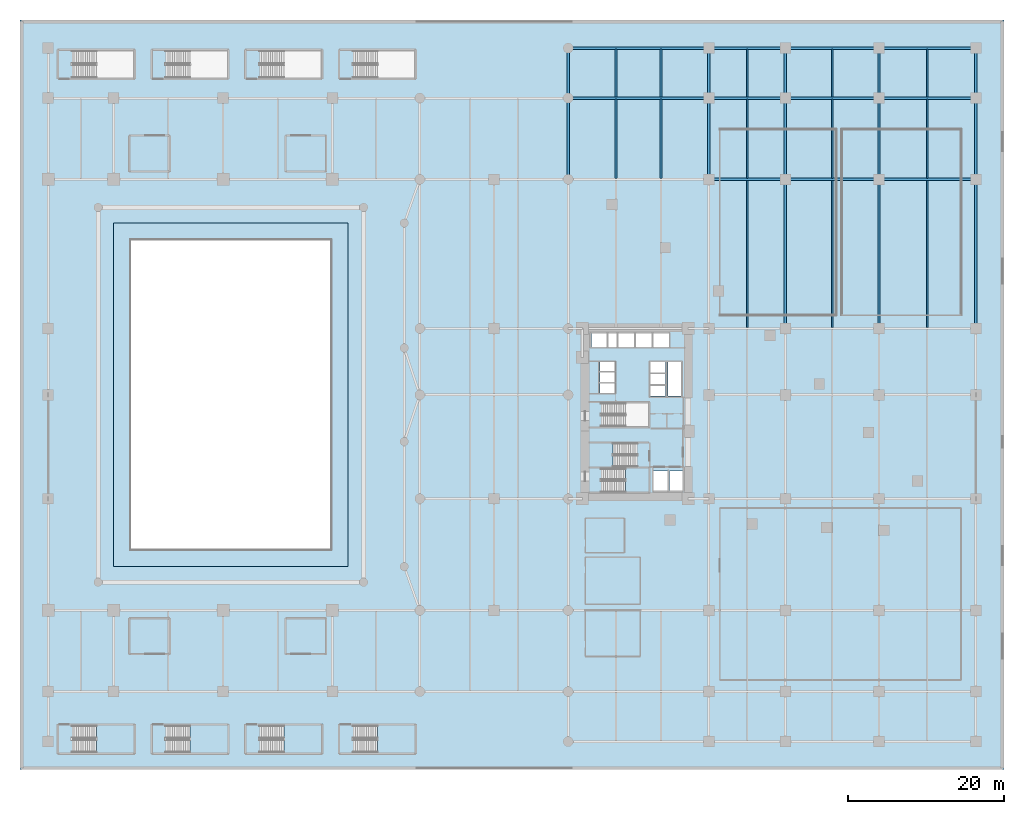
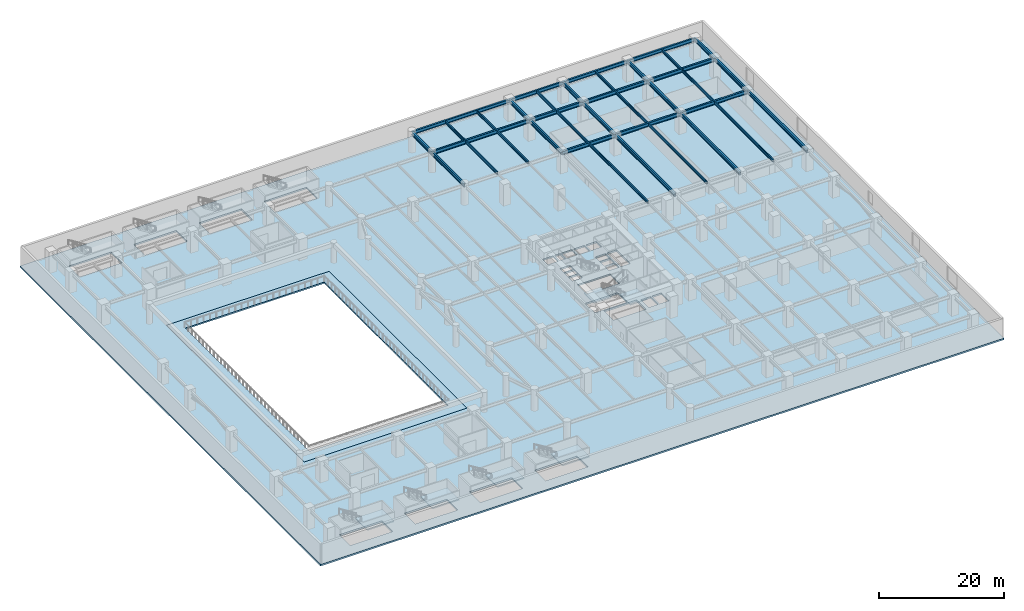
# One storey, part 4 of 25: 37 beams, 8 slabs, 6 elements without a shape of their own.
"""IFC4 building model written with IfcOpenShell, lengths in metres."""

from ifc_helpers import new_model, si_unit, direction, frame, origin, origin_2d, place, context, subcontext, project, spatial, polyline, i_section, outline, extrude, material, layer, layer_set, material_profile, profile_set, type_object, element, aggregate, save


model = new_model("IFC4")

# Units and contexts
model_context = context("Model", 3, precision=1e-05, world=origin(), true_north=direction((0.0, 1.0)))
body_context = subcontext(model_context, "Body", "Model", "MODEL_VIEW")
ifc_project = project(units=[si_unit("LENGTHUNIT", "METRE"), si_unit("AREAUNIT", "SQUARE_METRE"), si_unit("VOLUMEUNIT", "CUBIC_METRE"), si_unit("PLANEANGLEUNIT", "RADIAN"), si_unit("MASSUNIT", "GRAM", prefix="KILO")], contexts=[model_context])

# Site, building, storey
site_placement = place(None, origin())
site = spatial("IfcSite", under=ifc_project, at=site_placement, CompositionType="ELEMENT")
building_placement = place(site_placement, origin())
building = spatial("IfcBuilding", under=site, at=building_placement, Name="Narakoshi Arena Tower", CompositionType="ELEMENT")
storey_placement = place(building_placement, frame((0.0, 0.0, 9.0)))
storey = spatial("IfcBuildingStorey", under=building, at=storey_placement, Name="L02", CompositionType="ELEMENT", Elevation=9.0)

# Beams
ifc_material_1 = material(Name="Structural steel S355J2", Category="steel")
ifc_material_profile_1 = material_profile(ifc_material_1, i_section(OverallWidth=0.300048828125, OverallDepth=0.699951171875, WebThickness=0.01708984375, FlangeThickness=0.031982421875, FilletRadius=0.027099609375, at=origin_2d()), Name="HE700B")
ifc_profile_set_1 = profile_set([ifc_material_profile_1], Name="Structural steel S355J2")
beam_type_1 = type_object("IfcBeamType", Name="BM-PRI-700", PredefinedType="BEAM", material=ifc_profile_set_1)
beam_1_placement = place(storey_placement, frame((88.199951171875, 75.60009765625, 3.530029296875), z_axis=(1.0, 0.0, 0.0), x_axis=(0.0, 1.0, 0.0)))
element("IfcBeam", 1, at=beam_1_placement, inside=storey, type_object=beam_type_1, Name="L02 Podium Primary X-Girder 050", PredefinedType="BEAM", context=body_context, shape_type="SweptSolid", body=[
    extrude(i_section(OverallWidth=0.300048828125, OverallDepth=0.699951171875, WebThickness=0.01708984375, FlangeThickness=0.031982421875, FilletRadius=0.027099609375, at=origin_2d()), origin(), (0.0, 0.0, 1.0), 9.800048828125),
])
beam_2_placement = place(storey_placement, frame((98.0, 75.60009765625, 3.530029296875), z_axis=(1.0, 0.0, 0.0), x_axis=(0.0, 1.0, 0.0)))
element("IfcBeam", 2, at=beam_2_placement, inside=storey, type_object=beam_type_1, Name="L02 Podium Primary X-Girder 051", PredefinedType="BEAM", context=body_context, shape_type="SweptSolid", body=[
    extrude(i_section(OverallWidth=0.300048828125, OverallDepth=0.699951171875, WebThickness=0.01708984375, FlangeThickness=0.031982421875, FilletRadius=0.027099609375, at=origin_2d()), origin(), (0.0, 0.0, 1.0), 12.0),
])
beam_3_placement = place(storey_placement, frame((110.0, 75.60009765625, 3.530029296875), z_axis=(1.0, 0.0, 0.0), x_axis=(0.0, 1.0, 0.0)))
element("IfcBeam", 3, at=beam_3_placement, inside=storey, type_object=beam_type_1, Name="L02 Podium Primary X-Girder 052", PredefinedType="BEAM", context=body_context, shape_type="SweptSolid", body=[
    extrude(i_section(OverallWidth=0.300048828125, OverallDepth=0.699951171875, WebThickness=0.01708984375, FlangeThickness=0.031982421875, FilletRadius=0.027099609375, at=origin_2d()), origin(), (0.0, 0.0, 1.0), 12.39990234375),
])
beam_4_placement = place(storey_placement, frame((70.199951171875, 86.0, 3.530029296875), z_axis=(1.0, 0.0, 0.0), x_axis=(0.0, 1.0, 0.0)))
element("IfcBeam", 4, at=beam_4_placement, inside=storey, type_object=beam_type_1, Name="L02 Podium Primary X-Girder 058", PredefinedType="BEAM", context=body_context, shape_type="SweptSolid", body=[
    extrude(i_section(OverallWidth=0.300048828125, OverallDepth=0.699951171875, WebThickness=0.01708984375, FlangeThickness=0.031982421875, FilletRadius=0.027099609375, at=origin_2d()), origin(), (0.0, 0.0, 1.0), 18.0),
])
beam_5_placement = place(storey_placement, frame((88.199951171875, 86.0, 3.530029296875), z_axis=(1.0, 0.0, 0.0), x_axis=(0.0, 1.0, 0.0)))
element("IfcBeam", 5, at=beam_5_placement, inside=storey, type_object=beam_type_1, Name="L02 Podium Primary X-Girder 059", PredefinedType="BEAM", context=body_context, shape_type="SweptSolid", body=[
    extrude(i_section(OverallWidth=0.300048828125, OverallDepth=0.699951171875, WebThickness=0.01708984375, FlangeThickness=0.031982421875, FilletRadius=0.027099609375, at=origin_2d()), origin(), (0.0, 0.0, 1.0), 9.800048828125),
])
beam_6_placement = place(storey_placement, frame((98.0, 86.0, 3.530029296875), z_axis=(1.0, 0.0, 0.0), x_axis=(0.0, 1.0, 0.0)))
element("IfcBeam", 6, at=beam_6_placement, inside=storey, type_object=beam_type_1, Name="L02 Podium Primary X-Girder 060", PredefinedType="BEAM", context=body_context, shape_type="SweptSolid", body=[
    extrude(i_section(OverallWidth=0.300048828125, OverallDepth=0.699951171875, WebThickness=0.01708984375, FlangeThickness=0.031982421875, FilletRadius=0.027099609375, at=origin_2d()), origin(), (0.0, 0.0, 1.0), 12.0),
])
beam_7_placement = place(storey_placement, frame((110.0, 86.0, 3.530029296875), z_axis=(1.0, 0.0, 0.0), x_axis=(0.0, 1.0, 0.0)))
element("IfcBeam", 7, at=beam_7_placement, inside=storey, type_object=beam_type_1, Name="L02 Podium Primary X-Girder 061", PredefinedType="BEAM", context=body_context, shape_type="SweptSolid", body=[
    extrude(i_section(OverallWidth=0.300048828125, OverallDepth=0.699951171875, WebThickness=0.01708984375, FlangeThickness=0.031982421875, FilletRadius=0.027099609375, at=origin_2d()), origin(), (0.0, 0.0, 1.0), 12.39990234375),
])
beam_8_placement = place(storey_placement, frame((70.199951171875, 92.39990234375, 3.530029296875), z_axis=(1.0, 0.0, 0.0), x_axis=(0.0, 1.0, 0.0)))
element("IfcBeam", 8, at=beam_8_placement, inside=storey, type_object=beam_type_1, Name="L02 Podium Primary X-Girder 062", PredefinedType="BEAM", context=body_context, shape_type="SweptSolid", body=[
    extrude(i_section(OverallWidth=0.300048828125, OverallDepth=0.699951171875, WebThickness=0.01708984375, FlangeThickness=0.031982421875, FilletRadius=0.027099609375, at=origin_2d()), origin(), (0.0, 0.0, 1.0), 18.0),
])
beam_9_placement = place(storey_placement, frame((88.199951171875, 92.39990234375, 3.530029296875), z_axis=(1.0, 0.0, 0.0), x_axis=(0.0, 1.0, 0.0)))
element("IfcBeam", 9, at=beam_9_placement, inside=storey, type_object=beam_type_1, Name="L02 Podium Primary X-Girder 063", PredefinedType="BEAM", context=body_context, shape_type="SweptSolid", body=[
    extrude(i_section(OverallWidth=0.300048828125, OverallDepth=0.699951171875, WebThickness=0.01708984375, FlangeThickness=0.031982421875, FilletRadius=0.027099609375, at=origin_2d()), origin(), (0.0, 0.0, 1.0), 9.800048828125),
])
beam_10_placement = place(storey_placement, frame((98.0, 92.39990234375, 3.530029296875), z_axis=(1.0, 0.0, 0.0), x_axis=(0.0, 1.0, 0.0)))
element("IfcBeam", 10, at=beam_10_placement, inside=storey, type_object=beam_type_1, Name="L02 Podium Primary X-Girder 064", PredefinedType="BEAM", context=body_context, shape_type="SweptSolid", body=[
    extrude(i_section(OverallWidth=0.300048828125, OverallDepth=0.699951171875, WebThickness=0.01708984375, FlangeThickness=0.031982421875, FilletRadius=0.027099609375, at=origin_2d()), origin(), (0.0, 0.0, 1.0), 12.0),
])
beam_11_placement = place(storey_placement, frame((110.0, 92.39990234375, 3.530029296875), z_axis=(1.0, 0.0, 0.0), x_axis=(0.0, 1.0, 0.0)))
element("IfcBeam", 11, at=beam_11_placement, inside=storey, type_object=beam_type_1, Name="L02 Podium Primary X-Girder 065", PredefinedType="BEAM", context=body_context, shape_type="SweptSolid", body=[
    extrude(i_section(OverallWidth=0.300048828125, OverallDepth=0.699951171875, WebThickness=0.01708984375, FlangeThickness=0.031982421875, FilletRadius=0.027099609375, at=origin_2d()), origin(), (0.0, 0.0, 1.0), 12.39990234375),
])
beam_12_placement = place(storey_placement, frame((70.199951171875, 75.60009765625, 3.530029296875), z_axis=(0.0, 1.0, 0.0), x_axis=(-1.0, 0.0, 0.0)))
element("IfcBeam", 12, at=beam_12_placement, inside=storey, type_object=beam_type_1, Name="L02 Podium Primary Y-Girder 095", PredefinedType="BEAM", context=body_context, shape_type="SweptSolid", body=[
    extrude(i_section(OverallWidth=0.300048828125, OverallDepth=0.699951171875, WebThickness=0.01708984375, FlangeThickness=0.031982421875, FilletRadius=0.027099609375, at=origin_2d()), origin(), (0.0, 0.0, 1.0), 10.39990234375),
])
beam_13_placement = place(storey_placement, frame((70.199951171875, 86.0, 3.530029296875), z_axis=(0.0, 1.0, 0.0), x_axis=(-1.0, 0.0, 0.0)))
element("IfcBeam", 13, at=beam_13_placement, inside=storey, type_object=beam_type_1, Name="L02 Podium Primary Y-Girder 096", PredefinedType="BEAM", context=body_context, shape_type="SweptSolid", body=[
    extrude(i_section(OverallWidth=0.300048828125, OverallDepth=0.699951171875, WebThickness=0.01708984375, FlangeThickness=0.031982421875, FilletRadius=0.027099609375, at=origin_2d()), origin(), (0.0, 0.0, 1.0), 6.39990234375),
])
beam_14_placement = place(storey_placement, frame((88.199951171875, 75.60009765625, 3.530029296875), z_axis=(0.0, 1.0, 0.0), x_axis=(-1.0, 0.0, 0.0)))
element("IfcBeam", 14, at=beam_14_placement, inside=storey, type_object=beam_type_1, Name="L02 Podium Primary Y-Girder 104", PredefinedType="BEAM", context=body_context, shape_type="SweptSolid", body=[
    extrude(i_section(OverallWidth=0.300048828125, OverallDepth=0.699951171875, WebThickness=0.01708984375, FlangeThickness=0.031982421875, FilletRadius=0.027099609375, at=origin_2d()), origin(), (0.0, 0.0, 1.0), 10.39990234375),
])
beam_15_placement = place(storey_placement, frame((88.199951171875, 86.0, 3.530029296875), z_axis=(0.0, 1.0, 0.0), x_axis=(-1.0, 0.0, 0.0)))
element("IfcBeam", 15, at=beam_15_placement, inside=storey, type_object=beam_type_1, Name="L02 Podium Primary Y-Girder 105", PredefinedType="BEAM", context=body_context, shape_type="SweptSolid", body=[
    extrude(i_section(OverallWidth=0.300048828125, OverallDepth=0.699951171875, WebThickness=0.01708984375, FlangeThickness=0.031982421875, FilletRadius=0.027099609375, at=origin_2d()), origin(), (0.0, 0.0, 1.0), 6.39990234375),
])
beam_16_placement = place(storey_placement, frame((98.0, 56.5, 3.530029296875), z_axis=(0.0, 1.0, 0.0), x_axis=(-1.0, 0.0, 0.0)))
element("IfcBeam", 16, at=beam_16_placement, inside=storey, type_object=beam_type_1, Name="L02 Podium Primary Y-Girder 111", PredefinedType="BEAM", context=body_context, shape_type="SweptSolid", body=[
    extrude(i_section(OverallWidth=0.300048828125, OverallDepth=0.699951171875, WebThickness=0.01708984375, FlangeThickness=0.031982421875, FilletRadius=0.027099609375, at=origin_2d()), origin(), (0.0, 0.0, 1.0), 19.10009765625),
])
beam_17_placement = place(storey_placement, frame((98.0, 75.60009765625, 3.530029296875), z_axis=(0.0, 1.0, 0.0), x_axis=(-1.0, 0.0, 0.0)))
element("IfcBeam", 17, at=beam_17_placement, inside=storey, type_object=beam_type_1, Name="L02 Podium Primary Y-Girder 112", PredefinedType="BEAM", context=body_context, shape_type="SweptSolid", body=[
    extrude(i_section(OverallWidth=0.300048828125, OverallDepth=0.699951171875, WebThickness=0.01708984375, FlangeThickness=0.031982421875, FilletRadius=0.027099609375, at=origin_2d()), origin(), (0.0, 0.0, 1.0), 10.39990234375),
])
beam_18_placement = place(storey_placement, frame((98.0, 86.0, 3.530029296875), z_axis=(0.0, 1.0, 0.0), x_axis=(-1.0, 0.0, 0.0)))
element("IfcBeam", 18, at=beam_18_placement, inside=storey, type_object=beam_type_1, Name="L02 Podium Primary Y-Girder 113", PredefinedType="BEAM", context=body_context, shape_type="SweptSolid", body=[
    extrude(i_section(OverallWidth=0.300048828125, OverallDepth=0.699951171875, WebThickness=0.01708984375, FlangeThickness=0.031982421875, FilletRadius=0.027099609375, at=origin_2d()), origin(), (0.0, 0.0, 1.0), 6.39990234375),
])
beam_19_placement = place(storey_placement, frame((110.0, 56.5, 3.530029296875), z_axis=(0.0, 1.0, 0.0), x_axis=(-1.0, 0.0, 0.0)))
element("IfcBeam", 19, at=beam_19_placement, inside=storey, type_object=beam_type_1, Name="L02 Podium Primary Y-Girder 119", PredefinedType="BEAM", context=body_context, shape_type="SweptSolid", body=[
    extrude(i_section(OverallWidth=0.300048828125, OverallDepth=0.699951171875, WebThickness=0.01708984375, FlangeThickness=0.031982421875, FilletRadius=0.027099609375, at=origin_2d()), origin(), (0.0, 0.0, 1.0), 19.10009765625),
])
beam_20_placement = place(storey_placement, frame((110.0, 75.60009765625, 3.530029296875), z_axis=(0.0, 1.0, 0.0), x_axis=(-1.0, 0.0, 0.0)))
element("IfcBeam", 20, at=beam_20_placement, inside=storey, type_object=beam_type_1, Name="L02 Podium Primary Y-Girder 120", PredefinedType="BEAM", context=body_context, shape_type="SweptSolid", body=[
    extrude(i_section(OverallWidth=0.300048828125, OverallDepth=0.699951171875, WebThickness=0.01708984375, FlangeThickness=0.031982421875, FilletRadius=0.027099609375, at=origin_2d()), origin(), (0.0, 0.0, 1.0), 10.39990234375),
])
beam_21_placement = place(storey_placement, frame((110.0, 86.0, 3.530029296875), z_axis=(0.0, 1.0, 0.0), x_axis=(-1.0, 0.0, 0.0)))
element("IfcBeam", 21, at=beam_21_placement, inside=storey, type_object=beam_type_1, Name="L02 Podium Primary Y-Girder 121", PredefinedType="BEAM", context=body_context, shape_type="SweptSolid", body=[
    extrude(i_section(OverallWidth=0.300048828125, OverallDepth=0.699951171875, WebThickness=0.01708984375, FlangeThickness=0.031982421875, FilletRadius=0.027099609375, at=origin_2d()), origin(), (0.0, 0.0, 1.0), 6.39990234375),
])
beam_22_placement = place(storey_placement, frame((122.39990234375, 56.5, 3.530029296875), z_axis=(0.0, 1.0, 0.0), x_axis=(-1.0, 0.0, 0.0)))
element("IfcBeam", 22, at=beam_22_placement, inside=storey, type_object=beam_type_1, Name="L02 Podium Primary Y-Girder 127", PredefinedType="BEAM", context=body_context, shape_type="SweptSolid", body=[
    extrude(i_section(OverallWidth=0.300048828125, OverallDepth=0.699951171875, WebThickness=0.01708984375, FlangeThickness=0.031982421875, FilletRadius=0.027099609375, at=origin_2d()), origin(), (0.0, 0.0, 1.0), 19.10009765625),
])
beam_23_placement = place(storey_placement, frame((122.39990234375, 75.60009765625, 3.530029296875), z_axis=(0.0, 1.0, 0.0), x_axis=(-1.0, 0.0, 0.0)))
element("IfcBeam", 23, at=beam_23_placement, inside=storey, type_object=beam_type_1, Name="L02 Podium Primary Y-Girder 128", PredefinedType="BEAM", context=body_context, shape_type="SweptSolid", body=[
    extrude(i_section(OverallWidth=0.300048828125, OverallDepth=0.699951171875, WebThickness=0.01708984375, FlangeThickness=0.031982421875, FilletRadius=0.027099609375, at=origin_2d()), origin(), (0.0, 0.0, 1.0), 10.39990234375),
])
beam_24_placement = place(storey_placement, frame((122.39990234375, 86.0, 3.530029296875), z_axis=(0.0, 1.0, 0.0), x_axis=(-1.0, 0.0, 0.0)))
element("IfcBeam", 24, at=beam_24_placement, inside=storey, type_object=beam_type_1, Name="L02 Podium Primary Y-Girder 129", PredefinedType="BEAM", context=body_context, shape_type="SweptSolid", body=[
    extrude(i_section(OverallWidth=0.300048828125, OverallDepth=0.699951171875, WebThickness=0.01708984375, FlangeThickness=0.031982421875, FilletRadius=0.027099609375, at=origin_2d()), origin(), (0.0, 0.0, 1.0), 6.39990234375),
])
ifc_material_profile_2 = material_profile(ifc_material_1, i_section(OverallWidth=0.199951171875, OverallDepth=0.5, WebThickness=0.01025390625, FlangeThickness=0.01611328125, FilletRadius=0.02099609375, at=origin_2d()), Name="IPE500")
ifc_profile_set_2 = profile_set([ifc_material_profile_2], Name="Structural steel S355J2")
beam_type_2 = type_object("IfcBeamType", Name="BM-SEC-500", PredefinedType="JOIST", material=ifc_profile_set_2)
beam_25_placement = place(storey_placement, frame((76.320068359375, 75.735107421875, 3.6298828125), z_axis=(0.0, 1.0, 0.0), x_axis=(-1.0, 0.0, 0.0)))
element("IfcBeam", 25, at=beam_25_placement, inside=storey, type_object=beam_type_2, Name="L02 Podium Composite Floor Joist 024", PredefinedType="JOIST", context=body_context, shape_type="SweptSolid", body=[
    extrude(i_section(OverallWidth=0.199951171875, OverallDepth=0.5, WebThickness=0.01025390625, FlangeThickness=0.01611328125, FilletRadius=0.02099609375, at=origin_2d()), origin(), (0.0, 0.0, 1.0), 10.1298828125),
])
beam_26_placement = place(storey_placement, frame((76.320068359375, 86.135009765625, 3.6298828125), z_axis=(0.0, 1.0, 0.0), x_axis=(-1.0, 0.0, 0.0)))
element("IfcBeam", 26, at=beam_26_placement, inside=storey, type_object=beam_type_2, Name="L02 Podium Composite Floor Joist 025", PredefinedType="JOIST", context=body_context, shape_type="SweptSolid", body=[
    extrude(i_section(OverallWidth=0.199951171875, OverallDepth=0.5, WebThickness=0.01025390625, FlangeThickness=0.01611328125, FilletRadius=0.02099609375, at=origin_2d()), origin(), (0.0, 0.0, 1.0), 6.1298828125),
])
beam_27_placement = place(storey_placement, frame((82.080078125, 75.735107421875, 3.6298828125), z_axis=(0.0, 1.0, 0.0), x_axis=(-1.0, 0.0, 0.0)))
element("IfcBeam", 27, at=beam_27_placement, inside=storey, type_object=beam_type_2, Name="L02 Podium Composite Floor Joist 029", PredefinedType="JOIST", context=body_context, shape_type="SweptSolid", body=[
    extrude(i_section(OverallWidth=0.199951171875, OverallDepth=0.5, WebThickness=0.01025390625, FlangeThickness=0.01611328125, FilletRadius=0.02099609375, at=origin_2d()), origin(), (0.0, 0.0, 1.0), 10.1298828125),
])
beam_28_placement = place(storey_placement, frame((82.080078125, 86.135009765625, 3.6298828125), z_axis=(0.0, 1.0, 0.0), x_axis=(-1.0, 0.0, 0.0)))
element("IfcBeam", 28, at=beam_28_placement, inside=storey, type_object=beam_type_2, Name="L02 Podium Composite Floor Joist 030", PredefinedType="JOIST", context=body_context, shape_type="SweptSolid", body=[
    extrude(i_section(OverallWidth=0.199951171875, OverallDepth=0.5, WebThickness=0.01025390625, FlangeThickness=0.01611328125, FilletRadius=0.02099609375, at=origin_2d()), origin(), (0.0, 0.0, 1.0), 6.1298828125),
])
beam_29_placement = place(storey_placement, frame((93.10009765625, 56.635009765625, 3.6298828125), z_axis=(0.0, 1.0, 0.0), x_axis=(-1.0, 0.0, 0.0)))
element("IfcBeam", 29, at=beam_29_placement, inside=storey, type_object=beam_type_2, Name="L02 Podium Composite Floor Joist 036", PredefinedType="JOIST", context=body_context, shape_type="SweptSolid", body=[
    extrude(i_section(OverallWidth=0.199951171875, OverallDepth=0.5, WebThickness=0.01025390625, FlangeThickness=0.01611328125, FilletRadius=0.02099609375, at=origin_2d()), origin(), (0.0, 0.0, 1.0), 18.830078125),
])
beam_30_placement = place(storey_placement, frame((93.10009765625, 75.735107421875, 3.6298828125), z_axis=(0.0, 1.0, 0.0), x_axis=(-1.0, 0.0, 0.0)))
element("IfcBeam", 30, at=beam_30_placement, inside=storey, type_object=beam_type_2, Name="L02 Podium Composite Floor Joist 037", PredefinedType="JOIST", context=body_context, shape_type="SweptSolid", body=[
    extrude(i_section(OverallWidth=0.199951171875, OverallDepth=0.5, WebThickness=0.01025390625, FlangeThickness=0.01611328125, FilletRadius=0.02099609375, at=origin_2d()), origin(), (0.0, 0.0, 1.0), 10.1298828125),
])
beam_31_placement = place(storey_placement, frame((93.10009765625, 86.135009765625, 3.6298828125), z_axis=(0.0, 1.0, 0.0), x_axis=(-1.0, 0.0, 0.0)))
element("IfcBeam", 31, at=beam_31_placement, inside=storey, type_object=beam_type_2, Name="L02 Podium Composite Floor Joist 038", PredefinedType="JOIST", context=body_context, shape_type="SweptSolid", body=[
    extrude(i_section(OverallWidth=0.199951171875, OverallDepth=0.5, WebThickness=0.01025390625, FlangeThickness=0.01611328125, FilletRadius=0.02099609375, at=origin_2d()), origin(), (0.0, 0.0, 1.0), 6.1298828125),
])
beam_32_placement = place(storey_placement, frame((104.0, 56.635009765625, 3.6298828125), z_axis=(0.0, 1.0, 0.0), x_axis=(-1.0, 0.0, 0.0)))
element("IfcBeam", 32, at=beam_32_placement, inside=storey, type_object=beam_type_2, Name="L02 Podium Composite Floor Joist 044", PredefinedType="JOIST", context=body_context, shape_type="SweptSolid", body=[
    extrude(i_section(OverallWidth=0.199951171875, OverallDepth=0.5, WebThickness=0.01025390625, FlangeThickness=0.01611328125, FilletRadius=0.02099609375, at=origin_2d()), origin(), (0.0, 0.0, 1.0), 18.830078125),
])
beam_33_placement = place(storey_placement, frame((104.0, 75.735107421875, 3.6298828125), z_axis=(0.0, 1.0, 0.0), x_axis=(-1.0, 0.0, 0.0)))
element("IfcBeam", 33, at=beam_33_placement, inside=storey, type_object=beam_type_2, Name="L02 Podium Composite Floor Joist 045", PredefinedType="JOIST", context=body_context, shape_type="SweptSolid", body=[
    extrude(i_section(OverallWidth=0.199951171875, OverallDepth=0.5, WebThickness=0.01025390625, FlangeThickness=0.01611328125, FilletRadius=0.02099609375, at=origin_2d()), origin(), (0.0, 0.0, 1.0), 10.1298828125),
])
beam_34_placement = place(storey_placement, frame((104.0, 86.135009765625, 3.6298828125), z_axis=(0.0, 1.0, 0.0), x_axis=(-1.0, 0.0, 0.0)))
element("IfcBeam", 34, at=beam_34_placement, inside=storey, type_object=beam_type_2, Name="L02 Podium Composite Floor Joist 046", PredefinedType="JOIST", context=body_context, shape_type="SweptSolid", body=[
    extrude(i_section(OverallWidth=0.199951171875, OverallDepth=0.5, WebThickness=0.01025390625, FlangeThickness=0.01611328125, FilletRadius=0.02099609375, at=origin_2d()), origin(), (0.0, 0.0, 1.0), 6.1298828125),
])
beam_35_placement = place(storey_placement, frame((116.199951171875, 56.635009765625, 3.6298828125), z_axis=(0.0, 1.0, 0.0), x_axis=(-1.0, 0.0, 0.0)))
element("IfcBeam", 35, at=beam_35_placement, inside=storey, type_object=beam_type_2, Name="L02 Podium Composite Floor Joist 052", PredefinedType="JOIST", context=body_context, shape_type="SweptSolid", body=[
    extrude(i_section(OverallWidth=0.199951171875, OverallDepth=0.5, WebThickness=0.01025390625, FlangeThickness=0.01611328125, FilletRadius=0.02099609375, at=origin_2d()), origin(), (0.0, 0.0, 1.0), 18.830078125),
])
beam_36_placement = place(storey_placement, frame((116.199951171875, 75.735107421875, 3.6298828125), z_axis=(0.0, 1.0, 0.0), x_axis=(-1.0, 0.0, 0.0)))
element("IfcBeam", 36, at=beam_36_placement, inside=storey, type_object=beam_type_2, Name="L02 Podium Composite Floor Joist 053", PredefinedType="JOIST", context=body_context, shape_type="SweptSolid", body=[
    extrude(i_section(OverallWidth=0.199951171875, OverallDepth=0.5, WebThickness=0.01025390625, FlangeThickness=0.01611328125, FilletRadius=0.02099609375, at=origin_2d()), origin(), (0.0, 0.0, 1.0), 10.1298828125),
])
beam_37_placement = place(storey_placement, frame((116.199951171875, 86.135009765625, 3.6298828125), z_axis=(0.0, 1.0, 0.0), x_axis=(-1.0, 0.0, 0.0)))
element("IfcBeam", 37, at=beam_37_placement, inside=storey, type_object=beam_type_2, Name="L02 Podium Composite Floor Joist 054", PredefinedType="JOIST", context=body_context, shape_type="SweptSolid", body=[
    extrude(i_section(OverallWidth=0.199951171875, OverallDepth=0.5, WebThickness=0.01025390625, FlangeThickness=0.01611328125, FilletRadius=0.02099609375, at=origin_2d()), origin(), (0.0, 0.0, 1.0), 6.1298828125),
])

# Slab
ifc_material_2 = material(Name="Precast concrete C45/55", Category="concrete")
ifc_layer_1 = layer(ifc_material_2, 0.280029296875)
ifc_layer_set_1 = layer_set([ifc_layer_1], Name="Precast concrete C45/55")
slab_type_1 = type_object("IfcSlabType", Name="SLB-BOWL-280", PredefinedType="FLOOR", material=ifc_layer_set_1)
slab_1_placement = place(storey_placement, frame((0.0, 0.0, -0.280029296875)))
element("IfcSlab", 38, at=slab_1_placement, inside=storey, type_object=slab_type_1, Name="L02 Precast Arena Bowl Seating Tier Slab", PredefinedType="FLOOR", context=body_context, shape_type="SweptSolid", body=[
    extrude(outline(polyline([(42.0, 26.0), (42.0, 70.0), (12.0, 70.0), (12.0, 26.0), (42.0, 26.0)]), holes=[polyline([(39.800048828125, 28.199951171875), (39.800048828125, 67.800048828125), (14.199951171875, 67.800048828125), (14.199951171875, 28.199951171875), (39.800048828125, 28.199951171875)])]), origin(), (0.0, 0.0, 1.0), 0.280029296875),
])

# Stair, slab
ifc_material_3 = material(Name="Concrete C45/55", Category="concrete")
stair_type_1 = type_object("IfcStairType", Name="STR-PLANT-420", PredefinedType="TWO_STRAIGHT_RUN_STAIR", material=ifc_material_3)
stair_1_placement = place(storey_placement, origin())
stair_1 = element("IfcStair", 39, at=stair_1_placement, inside=storey, type_object=stair_type_1, Name="L02 Core Escape Stair ST1", PredefinedType="TWO_STRAIGHT_RUN_STAIR")
ifc_layer_2 = layer(ifc_material_3, 0.18994140625)
ifc_layer_set_2 = layer_set([ifc_layer_2], Name="Concrete C45/55")
slab_type_2 = type_object("IfcSlabType", Name="SLB-LND-190", PredefinedType="LANDING", material=ifc_layer_set_2)
slab_2_placement = place(storey_placement, frame((0.0, 0.0, 1.909912109375)))
slab_2 = element("IfcSlab", 40, at=slab_2_placement, type_object=slab_type_2, Name="ST1 landing 1", PredefinedType="LANDING", context=body_context, shape_type="SweptSolid", body=[
    extrude(outline(polyline([(77.534912109375, 35.3701171875), (80.679931640625, 35.3701171875), (80.679931640625, 38.72998046875), (77.534912109375, 38.72998046875), (77.534912109375, 35.3701171875)])), origin(), (0.0, 0.0, 1.0), 0.190185546875),
])
aggregate(stair_1, [slab_2])

stair_2_placement = place(storey_placement, origin())
stair_2 = element("IfcStair", 41, at=stair_2_placement, inside=storey, type_object=stair_type_1, Name="L02 Core Escape Stair ST2", PredefinedType="TWO_STRAIGHT_RUN_STAIR")
slab_3_placement = place(storey_placement, frame((0.0, 0.0, 1.909912109375)))
slab_3 = element("IfcSlab", 42, at=slab_3_placement, type_object=slab_type_2, Name="ST2 landing 1", PredefinedType="LANDING", context=body_context, shape_type="SweptSolid", body=[
    extrude(outline(polyline([(72.77001953125, 38.6201171875), (75.9150390625, 38.6201171875), (75.9150390625, 41.97998046875), (72.77001953125, 41.97998046875), (72.77001953125, 38.6201171875)])), origin(), (0.0, 0.0, 1.0), 0.190185546875),
])
aggregate(stair_2, [slab_3])

stair_type_2 = type_object("IfcStairType", Name="STR-ARN-2400", PredefinedType="TWO_STRAIGHT_RUN_STAIR", material=ifc_material_3)
stair_3_placement = place(storey_placement, origin())
stair_3 = element("IfcStair", 43, at=stair_3_placement, inside=storey, type_object=stair_type_2, Name="L02 Arena Crowd Escape Stair AST1", PredefinedType="TWO_STRAIGHT_RUN_STAIR")
slab_4_placement = place(storey_placement, frame((0.0, 0.0, 1.909912109375)))
slab_4 = element("IfcSlab", 44, at=slab_4_placement, type_object=slab_type_2, Name="AST1 landing 1", PredefinedType="LANDING", context=body_context, shape_type="SweptSolid", body=[
    extrude(outline(polyline([(9.784912109375, 2.02001953125), (14.72998046875, 2.02001953125), (14.72998046875, 5.830078125), (9.784912109375, 5.830078125), (9.784912109375, 2.02001953125)])), origin(), (0.0, 0.0, 1.0), 0.190185546875),
])
aggregate(stair_3, [slab_4])

stair_4_placement = place(storey_placement, origin())
stair_4 = element("IfcStair", 45, at=stair_4_placement, inside=storey, type_object=stair_type_2, Name="L02 Arena Crowd Escape Stair AST2", PredefinedType="TWO_STRAIGHT_RUN_STAIR")
slab_5_placement = place(storey_placement, frame((0.0, 0.0, 1.909912109375)))
slab_5 = element("IfcSlab", 46, at=slab_5_placement, type_object=slab_type_2, Name="AST2 landing 1", PredefinedType="LANDING", context=body_context, shape_type="SweptSolid", body=[
    extrude(outline(polyline([(21.784912109375, 2.02001953125), (26.72998046875, 2.02001953125), (26.72998046875, 5.830078125), (21.784912109375, 5.830078125), (21.784912109375, 2.02001953125)])), origin(), (0.0, 0.0, 1.0), 0.190185546875),
])
aggregate(stair_4, [slab_5])

stair_5_placement = place(storey_placement, origin())
stair_5 = element("IfcStair", 47, at=stair_5_placement, inside=storey, type_object=stair_type_2, Name="L02 Arena Crowd Escape Stair AST3", PredefinedType="TWO_STRAIGHT_RUN_STAIR")
slab_6_placement = place(storey_placement, frame((0.0, 0.0, 1.909912109375)))
slab_6 = element("IfcSlab", 48, at=slab_6_placement, type_object=slab_type_2, Name="AST3 landing 1", PredefinedType="LANDING", context=body_context, shape_type="SweptSolid", body=[
    extrude(outline(polyline([(33.784912109375, 2.02001953125), (38.72998046875, 2.02001953125), (38.72998046875, 5.830078125), (33.784912109375, 5.830078125), (33.784912109375, 2.02001953125)])), origin(), (0.0, 0.0, 1.0), 0.190185546875),
])
aggregate(stair_5, [slab_6])

stair_6_placement = place(storey_placement, origin())
stair_6 = element("IfcStair", 49, at=stair_6_placement, inside=storey, type_object=stair_type_2, Name="L02 Arena Crowd Escape Stair AST4", PredefinedType="TWO_STRAIGHT_RUN_STAIR")
slab_7_placement = place(storey_placement, frame((0.0, 0.0, 1.909912109375)))
slab_7 = element("IfcSlab", 50, at=slab_7_placement, type_object=slab_type_2, Name="AST4 landing 1", PredefinedType="LANDING", context=body_context, shape_type="SweptSolid", body=[
    extrude(outline(polyline([(45.784912109375, 2.02001953125), (50.72998046875, 2.02001953125), (50.72998046875, 5.830078125), (45.784912109375, 5.830078125), (45.784912109375, 2.02001953125)])), origin(), (0.0, 0.0, 1.0), 0.190185546875),
])
aggregate(stair_6, [slab_7])

# Slab
ifc_layer_3 = layer(ifc_material_3, 0.320068359375)
ifc_layer_set_3 = layer_set([ifc_layer_3], Name="Concrete C45/55")
slab_type_3 = type_object("IfcSlabType", Name="SLB-POD-320", PredefinedType="FLOOR", material=ifc_layer_set_3)
slab_8_placement = place(storey_placement, frame((0.0, 0.0, -0.320068359375)))
element("IfcSlab", 51, at=slab_8_placement, inside=storey, type_object=slab_type_3, Name="L02 Structural Floor Slab", PredefinedType="FLOOR", context=body_context, shape_type="SweptSolid", body=[
    extrude(outline(polyline([(0.0, 0.0), (126.0, 0.0), (126.0, 96.0), (0.0, 96.0), (0.0, 0.0)]), holes=[polyline([(6.72998046875, 2.199951171875), (6.72998046875, 5.64990234375), (14.550048828125, 5.64990234375), (14.550048828125, 2.199951171875), (6.72998046875, 2.199951171875)]), polyline([(18.72998046875, 5.64990234375), (26.550048828125, 5.64990234375), (26.550048828125, 2.199951171875), (18.72998046875, 2.199951171875), (18.72998046875, 5.64990234375)]), polyline([(30.72998046875, 5.64990234375), (38.550048828125, 5.64990234375), (38.550048828125, 2.199951171875), (30.72998046875, 2.199951171875), (30.72998046875, 5.64990234375)]), polyline([(42.72998046875, 2.199951171875), (42.72998046875, 5.64990234375), (50.550048828125, 5.64990234375), (50.550048828125, 2.199951171875), (42.72998046875, 2.199951171875)]), polyline([(12.0, 70.0), (42.0, 70.0), (42.0, 26.0), (12.0, 26.0), (12.0, 70.0)]), polyline([(74.47998046875, 38.550048828125), (80.5, 38.550048828125), (80.5, 35.550048828125), (74.47998046875, 35.550048828125), (74.47998046875, 38.550048828125)]), polyline([(81.14990234375, 35.75), (81.14990234375, 38.25), (82.89990234375, 38.25), (82.89990234375, 35.75), (81.14990234375, 35.75)]), polyline([(83.14990234375, 38.25), (84.89990234375, 38.25), (84.89990234375, 35.75), (83.14990234375, 35.75), (83.14990234375, 38.25)]), polyline([(72.949951171875, 38.800048828125), (72.949951171875, 41.800048828125), (78.969970703125, 41.800048828125), (78.969970703125, 38.800048828125), (72.949951171875, 38.800048828125)]), polyline([(74.47998046875, 46.949951171875), (80.5, 46.949951171875), (80.5, 43.949951171875), (74.47998046875, 43.949951171875), (74.47998046875, 46.949951171875)]), polyline([(82.949951171875, 52.199951171875), (84.699951171875, 52.199951171875), (84.699951171875, 47.840087890625), (82.949951171875, 47.840087890625), (82.949951171875, 52.199951171875)]), polyline([(80.75, 49.14990234375), (82.64990234375, 49.14990234375), (82.64990234375, 47.85009765625), (80.75, 47.85009765625), (80.75, 49.14990234375)]), polyline([(74.25, 49.449951171875), (76.14990234375, 49.449951171875), (76.14990234375, 48.25), (74.25, 48.25), (74.25, 49.449951171875)]), polyline([(80.75, 49.3701171875), (80.75, 50.669921875), (82.64990234375, 50.669921875), (82.64990234375, 49.3701171875), (80.75, 49.3701171875)]), polyline([(74.25, 49.64990234375), (74.25, 50.85009765625), (76.14990234375, 50.85009765625), (76.14990234375, 49.64990234375), (74.25, 49.64990234375)]), polyline([(80.75, 52.18994140625), (82.64990234375, 52.18994140625), (82.64990234375, 50.889892578125), (80.75, 50.889892578125), (80.75, 52.18994140625)]), polyline([(74.25, 52.2099609375), (76.14990234375, 52.2099609375), (76.14990234375, 51.050048828125), (74.25, 51.050048828125), (74.25, 52.2099609375)]), polyline([(73.14990234375, 55.85009765625), (75.10009765625, 55.85009765625), (75.10009765625, 54.14990234375), (73.14990234375, 54.14990234375), (73.14990234375, 55.85009765625)]), polyline([(75.35009765625, 55.85009765625), (76.39990234375, 55.85009765625), (76.39990234375, 54.14990234375), (75.35009765625, 54.14990234375), (75.35009765625, 55.85009765625)]), polyline([(76.64990234375, 55.85009765625), (78.60009765625, 55.85009765625), (78.60009765625, 54.14990234375), (76.64990234375, 54.14990234375), (76.64990234375, 55.85009765625)]), polyline([(78.89990234375, 55.85009765625), (80.85009765625, 55.85009765625), (80.85009765625, 54.14990234375), (78.89990234375, 54.14990234375), (78.89990234375, 55.85009765625)]), polyline([(81.14990234375, 55.85009765625), (83.10009765625, 55.85009765625), (83.10009765625, 54.14990234375), (81.14990234375, 54.14990234375), (81.14990234375, 55.85009765625)]), polyline([(6.72998046875, 92.050048828125), (14.550048828125, 92.050048828125), (14.550048828125, 88.60009765625), (6.72998046875, 88.60009765625), (6.72998046875, 92.050048828125)]), polyline([(18.72998046875, 92.050048828125), (26.550048828125, 92.050048828125), (26.550048828125, 88.60009765625), (18.72998046875, 88.60009765625), (18.72998046875, 92.050048828125)]), polyline([(30.72998046875, 92.050048828125), (38.550048828125, 92.050048828125), (38.550048828125, 88.60009765625), (30.72998046875, 88.60009765625), (30.72998046875, 92.050048828125)]), polyline([(42.72998046875, 92.050048828125), (50.550048828125, 92.050048828125), (50.550048828125, 88.60009765625), (42.72998046875, 88.60009765625), (42.72998046875, 92.050048828125)])]), origin(), (0.0, 0.0, 1.0), 0.320068359375),
])

save(model, "model.ifc")
